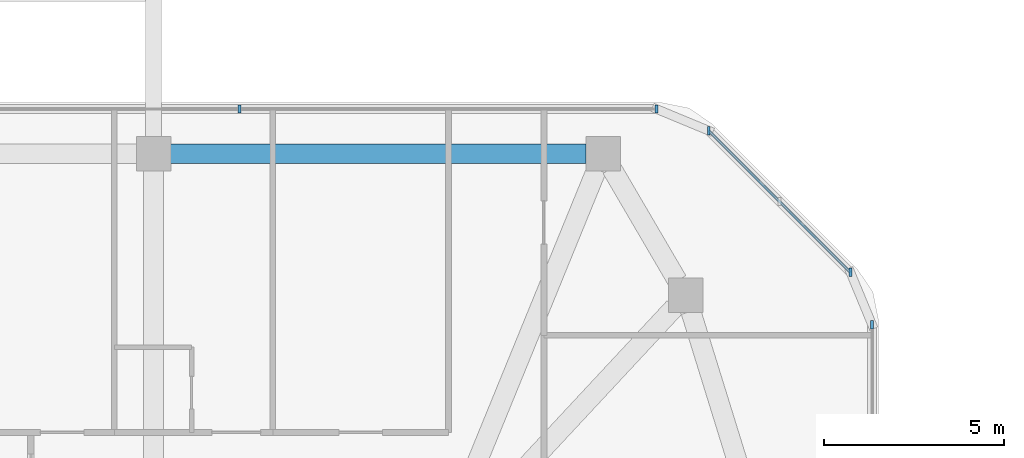
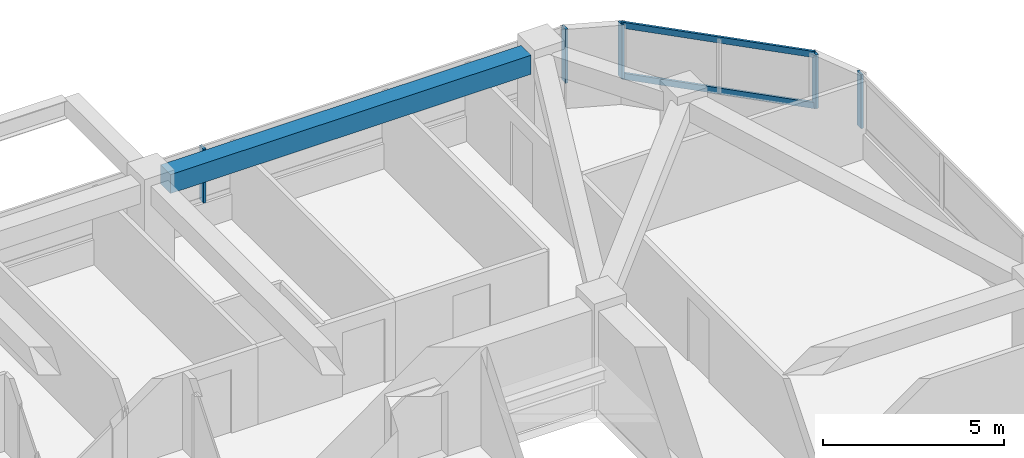
# One storey, part 6 of 13: 7 members, 1 beam, 3 elements without a shape of their own.
"""IFC4 building model written with IfcOpenShell, lengths in metres."""

from ifc_helpers import new_model, si_unit, derived_unit, direction, frame, origin, origin_2d, place, context, subcontext, project, spatial, rectangle, extrude, material, material_profile, profile_set, type_object, element, aggregate, save


model = new_model("IFC4")

# Units and contexts
model_context = context("Model", 3, precision=1e-05, world=origin(), true_north=direction((0.0, 1.0)))
body_context = subcontext(model_context, "Body", "Model", "MODEL_VIEW")
ifc_project = project(units=[si_unit("LENGTHUNIT", "METRE"), si_unit("AREAUNIT", "SQUARE_METRE"), si_unit("VOLUMEUNIT", "CUBIC_METRE"), si_unit("PLANEANGLEUNIT", "RADIAN"), si_unit("MASSUNIT", "GRAM", prefix="KILO"), derived_unit("THERMALTRANSMITTANCEUNIT", [(si_unit("POWERUNIT", "WATT"), 1), (si_unit("LENGTHUNIT", "METRE"), -2), (si_unit("THERMODYNAMICTEMPERATUREUNIT", "KELVIN"), -1)])], contexts=[model_context])

# Site, building, storey
site_placement = place(None, origin())
site = spatial("IfcSite", under=ifc_project, at=site_placement, CompositionType="ELEMENT")
building_placement = place(site_placement, origin())
building = spatial("IfcBuilding", under=site, at=building_placement, Name="Koralith Skygarden Medical Center", CompositionType="ELEMENT")
storey_placement = place(building_placement, frame((0.0, 0.0, 142.02001953125)))
storey = spatial("IfcBuildingStorey", under=building, at=storey_placement, Name="L36", CompositionType="ELEMENT", Elevation=142.02001953125)

# Curtain wall, member
ifc_material_1 = material(Name="Clear Laminated Glass", Category="glass")
curtain_wall_type = type_object("IfcCurtainWallType", Name="CW-4 Zone 3 Waist High-Wind Curtain Wall", PredefinedType="NOTDEFINED", material=ifc_material_1)
curtain_wall_1_placement = place(storey_placement, origin())
curtain_wall_1 = element("IfcCurtainWall", 1, at=curtain_wall_1_placement, inside=storey, type_object=curtain_wall_type, Name="Curtain Wall CW-L36-E-R", PredefinedType="NOTDEFINED")
ifc_material_2 = material(Name="Aluminium 6063-T6", Category="aluminium")
ifc_material_profile_1 = material_profile(ifc_material_2, rectangle(XDim=0.076904296875, YDim=0.22998046875, at=origin_2d()), Name="MUL77X230")
ifc_profile_set_1 = profile_set([ifc_material_profile_1], Name="Aluminium 6063-T6")
member_type_1 = type_object("IfcMemberType", Name="CW-4 Extruded Mullion 77x230", PredefinedType="MULLION", material=ifc_profile_set_1)
member_1_placement = place(storey_placement, frame((60.303955078125, 41.14501953125, 0.85009765625), z_axis=(0.0, 0.0, 1.0), x_axis=(1.0, 0.0, 0.0)))
member_1 = element("IfcMember", 2, at=member_1_placement, type_object=member_type_1, Name="CW-L36-E-R Mullion 4", PredefinedType="MULLION", context=body_context, shape_type="SweptSolid", body=[
    extrude(rectangle(XDim=0.076904296875, YDim=0.22998046875, at=origin_2d()), origin(), (0.0, 0.0, 1.0), 1.81982421875),
])
aggregate(curtain_wall_1, [member_1])

# Curtain wall, members
curtain_wall_2_placement = place(storey_placement, origin())
curtain_wall_2 = element("IfcCurtainWall", 3, at=curtain_wall_2_placement, inside=storey, type_object=curtain_wall_type, Name="Curtain Wall CW-L36-NE", PredefinedType="NOTDEFINED")
member_2_placement = place(storey_placement, frame((59.702880859375, 42.595947265625, 0.85009765625), z_axis=(0.0, 0.0, 1.0), x_axis=(1.0, 0.0, 0.0)))
member_2 = element("IfcMember", 4, at=member_2_placement, type_object=member_type_1, Name="CW-L36-NE Mullion 1", PredefinedType="MULLION", context=body_context, shape_type="SweptSolid", body=[
    extrude(rectangle(XDim=0.076904296875, YDim=0.22998046875, at=origin_2d()), origin(), (0.0, 0.0, 1.0), 1.81982421875),
])
member_3_placement = place(storey_placement, frame((55.780029296875, 46.51904296875, 0.85009765625), z_axis=(0.0, 0.0, 1.0), x_axis=(1.0, 0.0, 0.0)))
member_3 = element("IfcMember", 5, at=member_3_placement, type_object=member_type_1, Name="CW-L36-NE Mullion 3", PredefinedType="MULLION", context=body_context, shape_type="SweptSolid", body=[
    extrude(rectangle(XDim=0.076904296875, YDim=0.22998046875, at=origin_2d()), origin(), (0.0, 0.0, 1.0), 1.81982421875),
])

curtain_wall_3_placement = place(storey_placement, origin())
curtain_wall_3 = element("IfcCurtainWall", 6, at=curtain_wall_3_placement, inside=storey, type_object=curtain_wall_type, Name="Curtain Wall CW-L36-N", PredefinedType="NOTDEFINED")
member_4_placement = place(storey_placement, frame((54.3291015625, 47.1201171875, 0.85009765625), z_axis=(0.0, 0.0, 1.0), x_axis=(1.0, 0.0, 0.0)))
member_4 = element("IfcMember", 7, at=member_4_placement, type_object=member_type_1, Name="CW-L36-N Mullion 1", PredefinedType="MULLION", context=body_context, shape_type="SweptSolid", body=[
    extrude(rectangle(XDim=0.076904296875, YDim=0.22998046875, at=origin_2d()), origin(), (0.0, 0.0, 1.0), 1.81982421875),
])
member_5_placement = place(storey_placement, frame((42.77587890625, 47.1201171875, 0.85009765625), z_axis=(0.0, 0.0, 1.0), x_axis=(1.0, 0.0, 0.0)))
member_5 = element("IfcMember", 8, at=member_5_placement, type_object=member_type_1, Name="CW-L36-N Mullion 2", PredefinedType="MULLION", context=body_context, shape_type="SweptSolid", body=[
    extrude(rectangle(XDim=0.076904296875, YDim=0.22998046875, at=origin_2d()), origin(), (0.0, 0.0, 1.0), 1.81982421875),
])
aggregate(curtain_wall_3, [member_4, member_5])

# Member
ifc_material_profile_2 = material_profile(ifc_material_2, rectangle(XDim=0.072021484375, YDim=0.20703125, at=origin_2d()), Name="TRN72X207")
ifc_profile_set_2 = profile_set([ifc_material_profile_2], Name="Aluminium 6063-T6")
member_type_2 = type_object("IfcMemberType", Name="CW-4 Thermal Transom 72x207", PredefinedType="USERDEFINED", material=ifc_profile_set_2)
member_6_placement = place(storey_placement, frame((59.702880859375, 42.595947265625, 0.89990234375), z_axis=(-0.707084777957, 0.707128783731, 0.0), x_axis=(-0.707128783731, -0.707084777957, 0.0)))
member_6 = element("IfcMember", 9, at=member_6_placement, type_object=member_type_2, Name="CW-L36-NE Transom 1", ObjectType="TRANSOM", PredefinedType="USERDEFINED", context=body_context, shape_type="SweptSolid", body=[
    extrude(rectangle(XDim=0.072021484375, YDim=0.20703125, at=origin_2d()), origin(), (0.0, 0.0, 1.0), 5.5478515625),
])

member_7_placement = place(storey_placement, frame((59.702880859375, 42.595947265625, 2.619873046875), z_axis=(-0.707084777957, 0.707128783731, 0.0), x_axis=(-0.707128783731, -0.707084777957, 0.0)))
member_7 = element("IfcMember", 10, at=member_7_placement, type_object=member_type_2, Name="CW-L36-NE Transom 2", ObjectType="TRANSOM", PredefinedType="USERDEFINED", context=body_context, shape_type="SweptSolid", body=[
    extrude(rectangle(XDim=0.072021484375, YDim=0.20703125, at=origin_2d()), origin(), (0.0, 0.0, 1.0), 5.5478515625),
])

aggregate(curtain_wall_2, [member_2, member_3, member_6, member_7])

# Beam
ifc_material_3 = material(Name="Concrete C45/55", Category="concrete")
ifc_material_profile_3 = material_profile(ifc_material_3, rectangle(XDim=0.550048828125, YDim=0.639892578125, at=origin_2d()), Name="RCB550X640")
ifc_profile_set_3 = profile_set([ifc_material_profile_3], Name="Concrete C45/55")
beam_type = type_object("IfcBeamType", Name="Zone 2-3 Spandrel Beam RCB550X640", PredefinedType="SPANDREL", material=ifc_profile_set_3)
beam_placement = place(storey_placement, frame((52.382080078125, 45.8798828125, 3.0), z_axis=(-1.0, 0.0, 0.0), x_axis=(0.0, -1.0, 0.0)))
element("IfcBeam", 11, at=beam_placement, inside=storey, type_object=beam_type, Name="L36 Perimeter Spandrel Beam SP-11", PredefinedType="SPANDREL", context=body_context, shape_type="SweptSolid", body=[
    extrude(rectangle(XDim=0.550048828125, YDim=0.639892578125, at=origin_2d()), origin(), (0.0, 0.0, 1.0), 11.511962890625),
])

save(model, "model.ifc")
